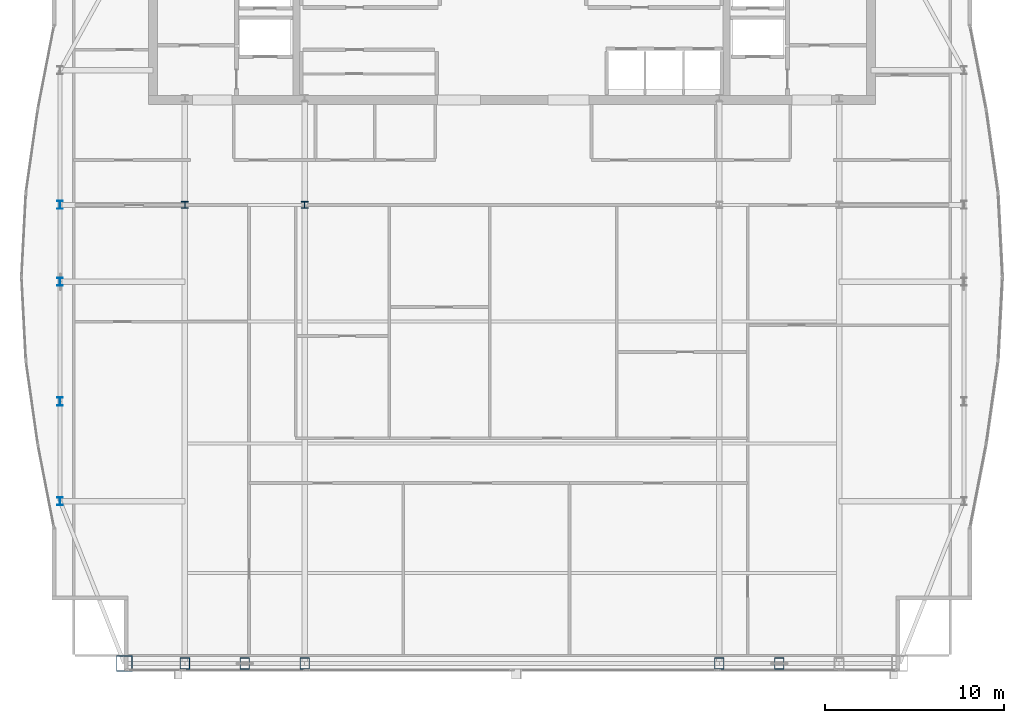
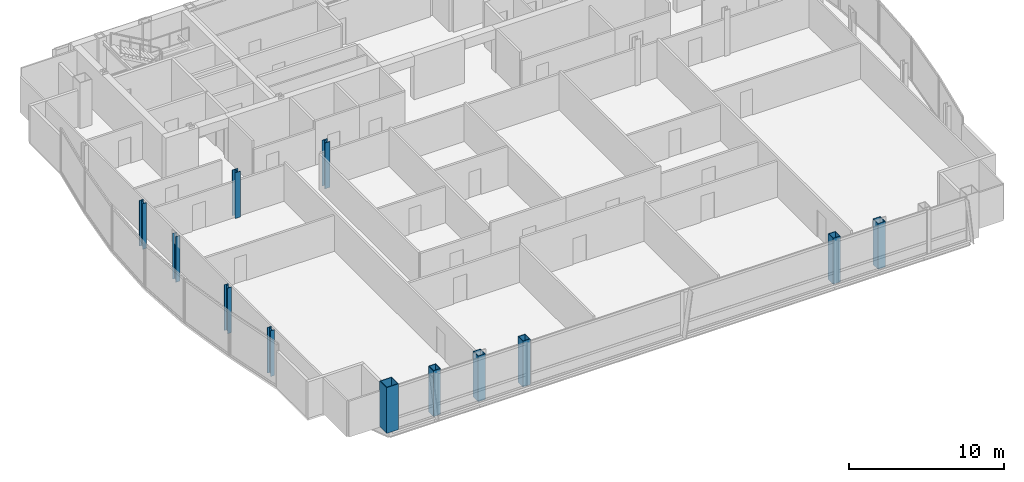
# One storey, part 1 of 27: 12 columns.
"""IFC4 building model written with IfcOpenShell, lengths in metres."""

from ifc_helpers import new_model, si_unit, direction, frame, origin, origin_2d, place, context, subcontext, project, spatial, hollow_rectangle, i_section, extrude, material, material_profile, profile_set, type_object, element, save


model = new_model("IFC4")

# Units and contexts
model_context = context("Model", 3, precision=1e-05, world=origin(), true_north=direction((0.0, 1.0)))
body_context = subcontext(model_context, "Body", "Model", "MODEL_VIEW")
ifc_project = project(units=[si_unit("LENGTHUNIT", "METRE"), si_unit("AREAUNIT", "SQUARE_METRE"), si_unit("VOLUMEUNIT", "CUBIC_METRE"), si_unit("PLANEANGLEUNIT", "RADIAN"), si_unit("MASSUNIT", "GRAM", prefix="KILO")], contexts=[model_context])

# Site, building, storey
site_placement = place(None, origin())
site = spatial("IfcSite", under=ifc_project, at=site_placement, CompositionType="ELEMENT")
building_placement = place(site_placement, origin())
building = spatial("IfcBuilding", under=site, at=building_placement, Name="Khoronbel Lancet Exchange", CompositionType="ELEMENT")
storey_placement = place(building_placement, frame((0.0, 0.0, 332.60009765625)))
storey = spatial("IfcBuildingStorey", under=building, at=storey_placement, Name="L86", CompositionType="ELEMENT", Elevation=332.60009765625)

# Columns
ifc_material_1 = material(Name="Steel S460", Category="steel")
ifc_material_profile_1 = material_profile(ifc_material_1, hollow_rectangle(XDim=0.550048828125, YDim=0.64990234375, WallThickness=0.0400390625, at=origin_2d()), Name="BOX 650x550x40")
ifc_profile_set_1 = profile_set([ifc_material_profile_1], Name="Steel S460")
column_type_1 = type_object("IfcColumnType", Name="COL-EC4", PredefinedType="COLUMN", material=ifc_profile_set_1)
for number, where, z_axis, x_axis, name in (
    (1, (18.22509765625, 10.14990234375, 0.0), (0.0, 0.0, 1.0), (1.0, 0.0, 0.0), "Structural column SC-W1 L86"),
    (2, (21.5625, 10.14990234375, 0.0), (0.0, 0.0, 1.0), (1.0, 0.0, 0.0), "Structural column SC-WM L86"),
    (3, (24.89990234375, 10.14990234375, 0.0), (0.0, 0.0, 1.0), (1.0, 0.0, 0.0), "Structural column SC-W2 L86"),
    (4, (48.0, 10.14990234375, 0.0), (0.0, 0.0, 1.0), (1.0, 0.0, 0.0), "Structural column SC-E1 L86"),
    (5, (51.33740234375, 10.14990234375, 0.0), (0.0, 0.0, 1.0), (1.0, 0.0, 0.0), "Structural column SC-EM L86"),
):
    element("IfcColumn", number, at=place(storey_placement, frame(where, z_axis=z_axis, x_axis=x_axis)), inside=storey, type_object=column_type_1, Name=name, PredefinedType="COLUMN", context=body_context, shape_type="SweptSolid", body=[
        extrude(hollow_rectangle(XDim=0.550048828125, YDim=0.64990234375, WallThickness=0.0400390625, at=origin_2d()), origin(), (0.0, 0.0, 1.0), 3.599853515625),
    ])
ifc_material_2 = material(Name="Steel S355", Category="steel")
ifc_material_profile_2 = material_profile(ifc_material_2, i_section(OverallWidth=0.39892578125, OverallDepth=0.39306640625, WebThickness=0.022705078125, FlangeThickness=0.03662109375, at=origin_2d()), Name="HD 400x287")
ifc_profile_set_2 = profile_set([ifc_material_profile_2], Name="Steel S355")
column_type_2 = type_object("IfcColumnType", Name="COL-IC4", PredefinedType="COLUMN", material=ifc_profile_set_2)
for number, where, z_axis, x_axis, name in (
    (6, (18.22509765625, 35.699951171875, 0.0), (0.0, 0.0, 1.0), (1.0, 0.0, 0.0), "Spine gravity column TC1 L86"),
    (7, (24.89990234375, 35.699951171875, 0.0), (0.0, 0.0, 1.0), (1.0, 0.0, 0.0), "Spine gravity column TC2 L86"),
):
    element("IfcColumn", number, at=place(storey_placement, frame(where, z_axis=z_axis, x_axis=x_axis)), inside=storey, type_object=column_type_2, Name=name, PredefinedType="COLUMN", context=body_context, shape_type="SweptSolid", body=[
        extrude(i_section(OverallWidth=0.39892578125, OverallDepth=0.39306640625, WebThickness=0.022705078125, FlangeThickness=0.03662109375, at=origin_2d()), origin(), (0.0, 0.0, 1.0), 3.599853515625),
    ])
ifc_material_profile_3 = material_profile(ifc_material_2, i_section(OverallWidth=0.300048828125, OverallDepth=0.449951171875, WebThickness=0.013916015625, FlangeThickness=0.02587890625, at=origin_2d()), Name="HEB 450")
ifc_profile_set_3 = profile_set([ifc_material_profile_3], Name="Steel S355")
column_type_3 = type_object("IfcColumnType", Name="COL-LC2", PredefinedType="COLUMN", material=ifc_profile_set_3)
for number, where, z_axis, x_axis, name in (
    (8, (11.27001953125, 19.199951171875, 0.0), (0.0, 0.0, 1.0), (1.0, 0.0, 0.0), "Structural column WC-1 L86"),
    (9, (11.27001953125, 24.75, 0.0), (0.0, 0.0, 1.0), (1.0, 0.0, 0.0), "Structural column WC-2 L86"),
    (10, (11.27001953125, 31.425048828125, 0.0), (0.0, 0.0, 1.0), (1.0, 0.0, 0.0), "Structural column WC-M L86"),
    (11, (11.27001953125, 35.699951171875, 0.0), (0.0, 0.0, 1.0), (1.0, 0.0, 0.0), "Structural column WC-3 L86"),
):
    element("IfcColumn", number, at=place(storey_placement, frame(where, z_axis=z_axis, x_axis=x_axis)), inside=storey, type_object=column_type_3, Name=name, PredefinedType="COLUMN", context=body_context, shape_type="SweptSolid", body=[
        extrude(i_section(OverallWidth=0.300048828125, OverallDepth=0.449951171875, WebThickness=0.013916015625, FlangeThickness=0.02587890625, at=origin_2d()), origin(), (0.0, 0.0, 1.0), 3.599853515625),
    ])
ifc_material_profile_4 = material_profile(ifc_material_1, hollow_rectangle(XDim=0.89990234375, YDim=0.89990234375, WallThickness=0.050048828125, at=origin_2d()), Name="BOX 900x900x50")
ifc_profile_set_4 = profile_set([ifc_material_profile_4], Name="Steel S460")
column_type_4 = type_object("IfcColumnType", Name="COL-MC7", PredefinedType="COLUMN", material=ifc_profile_set_4)
column_placement = place(storey_placement, frame((14.85009765625, 10.14990234375, 0.0), z_axis=(0.0, 0.0, 1.0), x_axis=(1.0, 0.0, 0.0)))
element("IfcColumn", 12, at=column_placement, inside=storey, type_object=column_type_4, Name="Structural column MC-SW L86", PredefinedType="COLUMN", context=body_context, shape_type="SweptSolid", body=[
    extrude(hollow_rectangle(XDim=0.89990234375, YDim=0.89990234375, WallThickness=0.050048828125, at=origin_2d()), origin(), (0.0, 0.0, 1.0), 3.599853515625),
])

save(model, "model.ifc")
